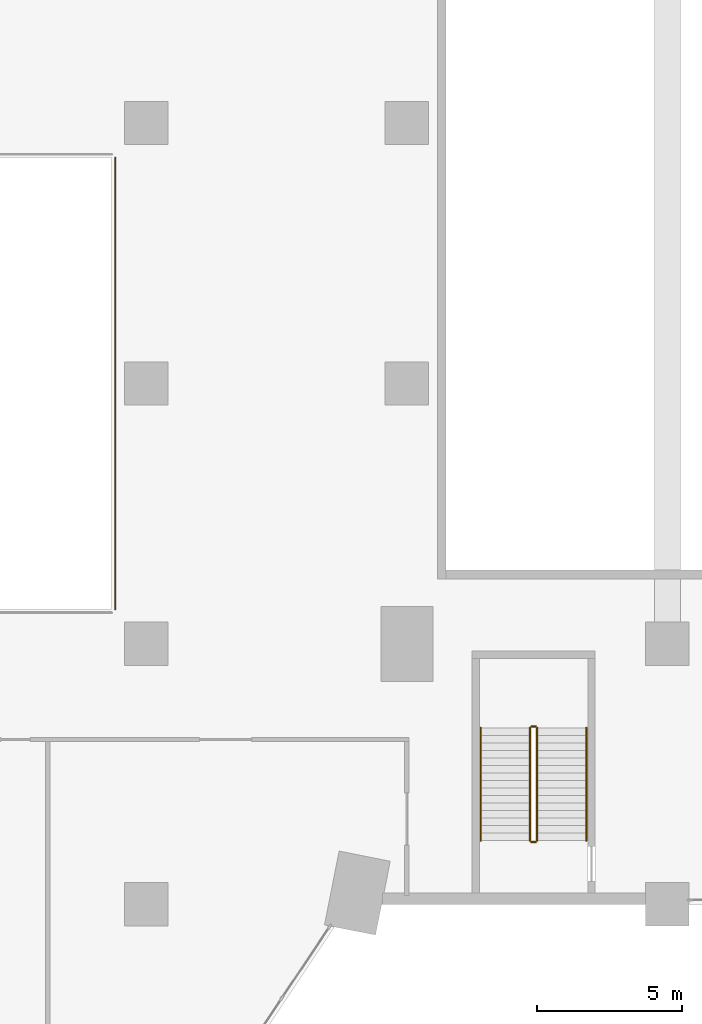
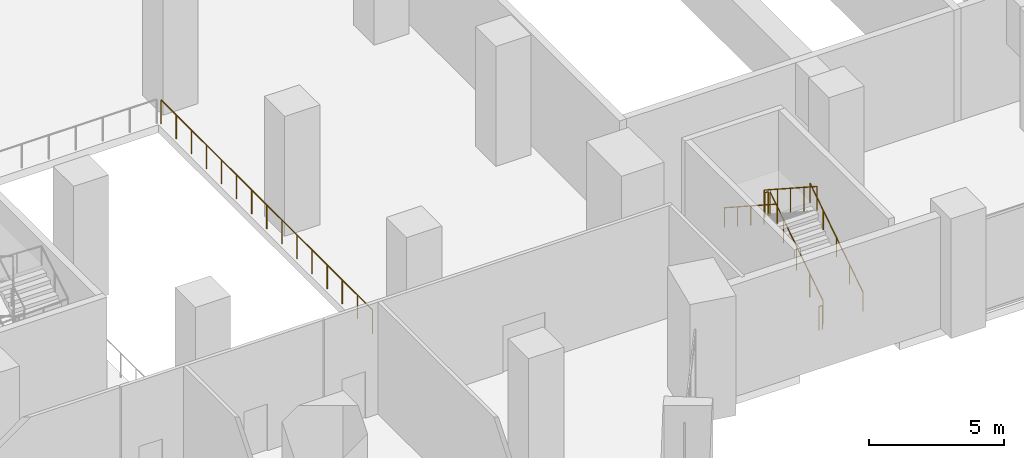
# One storey, part 31 of 43: 7 railings.
"""IFC4 building model written with IfcOpenShell, lengths in metres."""

from ifc_helpers import new_model, si_unit, direction, frame, origin, origin_2d, place, context, subcontext, project, spatial, circle, extrude, material, type_object, element, save


model = new_model("IFC4")

# Units and contexts
model_context = context("Model", 3, precision=1e-05, world=origin(), true_north=direction((0.0, 1.0)))
body_context = subcontext(model_context, "Body", "Model", "MODEL_VIEW")
ifc_project = project(units=[si_unit("LENGTHUNIT", "METRE"), si_unit("AREAUNIT", "SQUARE_METRE"), si_unit("VOLUMEUNIT", "CUBIC_METRE"), si_unit("PLANEANGLEUNIT", "RADIAN"), si_unit("MASSUNIT", "GRAM", prefix="KILO")], contexts=[model_context])

# Site, building, storey
site_placement = place(None, origin())
site = spatial("IfcSite", under=ifc_project, at=site_placement, CompositionType="ELEMENT")
building_placement = place(site_placement, origin())
building = spatial("IfcBuilding", under=site, at=building_placement, Name="Hunhe Ridgeline Campus", CompositionType="ELEMENT")
storey_placement = place(building_placement, frame((0.0, 0.0, 11.39990234375)))
storey = spatial("IfcBuildingStorey", under=building, at=storey_placement, Name="L02", CompositionType="ELEMENT", Elevation=11.39990234375)

# Railings
ifc_material_1 = material(Name="Glass and steel", Category="steel")
railing_type_1 = type_object("IfcRailingType", Name="Atrium glass guard 1100", PredefinedType="GUARDRAIL", material=ifc_material_1)
railing_1_placement = place(storey_placement, frame((34.919921875, 28.199951171875, 0.0)))
element("IfcRailing", 1, at=railing_1_placement, inside=storey, type_object=railing_type_1, Name="L02 atrium guard", PredefinedType="GUARDRAIL", context=body_context, shape_type="SweptSolid", body=[
    extrude(circle(Radius=0.02392578125, at=origin_2d()), frame((0.0, 0.0, 1.076171875), z_axis=(0.0, 1.0, 0.0), x_axis=(-1.0, 0.0, 0.0)), (0.0, 0.0, 1.0), 15.60009765625),
    extrude(circle(Radius=0.02099609375, at=origin_2d()), origin(), (0.0, 0.0, 1.0), 1.052001953125),
    extrude(circle(Radius=0.02099609375, at=origin_2d()), frame((0.0, 1.1142578125, 0.0)), (0.0, 0.0, 1.0), 1.052001953125),
    extrude(circle(Radius=0.02099609375, at=origin_2d()), frame((0.0, 2.228515625, 0.0)), (0.0, 0.0, 1.0), 1.052001953125),
    extrude(circle(Radius=0.02099609375, at=origin_2d()), frame((0.0, 3.3427734375, 0.0)), (0.0, 0.0, 1.0), 1.052001953125),
    extrude(circle(Radius=0.02099609375, at=origin_2d()), frame((0.0, 4.457275390625, 0.0)), (0.0, 0.0, 1.0), 1.052001953125),
    extrude(circle(Radius=0.02099609375, at=origin_2d()), frame((0.0, 5.571533203125, 0.0)), (0.0, 0.0, 1.0), 1.052001953125),
    extrude(circle(Radius=0.02099609375, at=origin_2d()), frame((0.0, 6.685791015625, 0.0)), (0.0, 0.0, 1.0), 1.052001953125),
    extrude(circle(Radius=0.02099609375, at=origin_2d()), frame((0.0, 7.800048828125, 0.0)), (0.0, 0.0, 1.0), 1.052001953125),
    extrude(circle(Radius=0.02099609375, at=origin_2d()), frame((0.0, 8.914306640625, 0.0)), (0.0, 0.0, 1.0), 1.052001953125),
    extrude(circle(Radius=0.02099609375, at=origin_2d()), frame((0.0, 10.028564453125, 0.0)), (0.0, 0.0, 1.0), 1.052001953125),
    extrude(circle(Radius=0.02099609375, at=origin_2d()), frame((0.0, 11.142822265625, 0.0)), (0.0, 0.0, 1.0), 1.052001953125),
    extrude(circle(Radius=0.02099609375, at=origin_2d()), frame((0.0, 12.25732421875, 0.0)), (0.0, 0.0, 1.0), 1.052001953125),
    extrude(circle(Radius=0.02099609375, at=origin_2d()), frame((0.0, 13.37158203125, 0.0)), (0.0, 0.0, 1.0), 1.052001953125),
    extrude(circle(Radius=0.02099609375, at=origin_2d()), frame((0.0, 14.48583984375, 0.0)), (0.0, 0.0, 1.0), 1.052001953125),
    extrude(circle(Radius=0.02099609375, at=origin_2d()), frame((0.0, 15.60009765625, 0.0)), (0.0, 0.0, 1.0), 1.052001953125),
])
ifc_material_2 = material(Name="Steel Q235", Category="steel")
railing_type_2 = type_object("IfcRailingType", Name="Podium stair guard 1100", PredefinedType="GUARDRAIL", material=ifc_material_2)
railing_2_placement = place(storey_placement, frame((49.5, 20.199951171875, 0.1689453125)))
element("IfcRailing", 2, at=railing_2_placement, inside=storey, type_object=railing_type_2, Name="L02 PS1 stair guard 1", PredefinedType="GUARDRAIL", context=body_context, shape_type="SweptSolid", body=[
    extrude(circle(Radius=0.02392578125, at=origin_2d()), frame((0.0, 0.0, 1.076171875), z_axis=(0.0, 0.838821308939, 0.544406843886), x_axis=(-1.0, 0.0, 0.0)), (0.0, 0.0, 1.0), 4.649658203125),
    extrude(circle(Radius=0.02099609375, at=origin_2d()), origin(), (0.0, 0.0, 1.0), 1.052001953125),
    extrude(circle(Radius=0.02099609375, at=origin_2d()), frame((0.0, 0.97509765625, 0.6328125)), (0.0, 0.0, 1.0), 1.052001953125),
    extrude(circle(Radius=0.02099609375, at=origin_2d()), frame((0.0, 1.9501953125, 1.265625)), (0.0, 0.0, 1.0), 1.052001953125),
    extrude(circle(Radius=0.02099609375, at=origin_2d()), frame((0.0, 2.925048828125, 1.8984375)), (0.0, 0.0, 1.0), 1.052001953125),
    extrude(circle(Radius=0.02099609375, at=origin_2d()), frame((0.0, 3.900146484375, 2.53125)), (0.0, 0.0, 1.0), 1.052001953125),
])
railing_3_placement = place(storey_placement, frame((49.449951171875, 24.14990234375, 2.7001953125)))
element("IfcRailing", 3, at=railing_3_placement, inside=storey, type_object=railing_type_2, Name="L02 PS1 stair guard 2", PredefinedType="GUARDRAIL", context=body_context, shape_type="SweptSolid", body=[
    extrude(circle(Radius=0.02392578125, at=origin_2d()), frame((0.0, 0.0, 1.076171875), z_axis=(-1.0, 0.0, 0.0), x_axis=(0.0, -1.0, 0.0)), (0.0, 0.0, 1.0), 0.14990234375),
    extrude(circle(Radius=0.02099609375, at=origin_2d()), origin(), (0.0, 0.0, 1.0), 1.052001953125),
    extrude(circle(Radius=0.02099609375, at=origin_2d()), frame((-0.14990234375, 0.0, 0.0)), (0.0, 0.0, 1.0), 1.052001953125),
])
railing_4_placement = place(storey_placement, frame((49.25, 24.10009765625, 2.868896484375)))
element("IfcRailing", 4, at=railing_4_placement, inside=storey, type_object=railing_type_2, Name="L02 PS1 stair guard 3", PredefinedType="GUARDRAIL", context=body_context, shape_type="SweptSolid", body=[
    extrude(circle(Radius=0.02392578125, at=origin_2d()), frame((0.0, 0.0, 1.076171875), z_axis=(0.0, -0.838821308939, 0.544406843886), x_axis=(1.0, 0.0, 0.0)), (0.0, 0.0, 1.0), 4.649658203125),
    extrude(circle(Radius=0.02099609375, at=origin_2d()), origin(), (0.0, 0.0, 1.0), 1.052001953125),
    extrude(circle(Radius=0.02099609375, at=origin_2d()), frame((0.0, -0.97509765625, 0.6328125)), (0.0, 0.0, 1.0), 1.052001953125),
    extrude(circle(Radius=0.02099609375, at=origin_2d()), frame((0.0, -1.9501953125, 1.265625)), (0.0, 0.0, 1.0), 1.052001953125),
    extrude(circle(Radius=0.02099609375, at=origin_2d()), frame((0.0, -2.925048828125, 1.8984375)), (0.0, 0.0, 1.0), 1.052001953125),
    extrude(circle(Radius=0.02099609375, at=origin_2d()), frame((0.0, -3.900146484375, 2.53125)), (0.0, 0.0, 1.0), 1.052001953125),
])
railing_5_placement = place(storey_placement, frame((49.449951171875, 20.14990234375, 0.0)))
element("IfcRailing", 5, at=railing_5_placement, inside=storey, type_object=railing_type_2, Name="L02 PS1 stair guard 4", PredefinedType="GUARDRAIL", context=body_context, shape_type="SweptSolid", body=[
    extrude(circle(Radius=0.02392578125, at=origin_2d()), frame((0.0, 0.0, 1.076171875), z_axis=(-1.0, 0.0, 0.0), x_axis=(0.0, -1.0, 0.0)), (0.0, 0.0, 1.0), 0.14990234375),
    extrude(circle(Radius=0.02099609375, at=origin_2d()), origin(), (0.0, 0.0, 1.0), 1.052001953125),
    extrude(circle(Radius=0.02099609375, at=origin_2d()), frame((-0.14990234375, 0.0, 0.0)), (0.0, 0.0, 1.0), 1.052001953125),
])
railing_type_3 = type_object("IfcRailingType", Name="Podium stair handrail", PredefinedType="HANDRAIL", material=ifc_material_2)
railing_6_placement = place(storey_placement, frame((51.199951171875, 20.199951171875, 0.1689453125)))
element("IfcRailing", 6, at=railing_6_placement, inside=storey, type_object=railing_type_3, Name="L02 PS1 stair handrail 1", PredefinedType="HANDRAIL", context=body_context, shape_type="SweptSolid", body=[
    extrude(circle(Radius=0.02392578125, at=origin_2d()), frame((0.0, 0.0, 0.8759765625), z_axis=(0.0, 0.838821308939, 0.544406843886), x_axis=(-1.0, 0.0, 0.0)), (0.0, 0.0, 1.0), 4.649658203125),
    extrude(circle(Radius=0.02099609375, at=origin_2d()), origin(), (0.0, 0.0, 1.0), 0.851806640625),
    extrude(circle(Radius=0.02099609375, at=origin_2d()), frame((0.0, 0.97509765625, 0.6328125)), (0.0, 0.0, 1.0), 0.851806640625),
    extrude(circle(Radius=0.02099609375, at=origin_2d()), frame((0.0, 1.9501953125, 1.265625)), (0.0, 0.0, 1.0), 0.851806640625),
    extrude(circle(Radius=0.02099609375, at=origin_2d()), frame((0.0, 2.925048828125, 1.8984375)), (0.0, 0.0, 1.0), 0.851806640625),
    extrude(circle(Radius=0.02099609375, at=origin_2d()), frame((0.0, 3.900146484375, 2.53125)), (0.0, 0.0, 1.0), 0.851806640625),
])
railing_7_placement = place(storey_placement, frame((47.550048828125, 24.10009765625, 2.868896484375)))
element("IfcRailing", 7, at=railing_7_placement, inside=storey, type_object=railing_type_3, Name="L02 PS1 stair handrail 2", PredefinedType="HANDRAIL", context=body_context, shape_type="SweptSolid", body=[
    extrude(circle(Radius=0.02392578125, at=origin_2d()), frame((0.0, 0.0, 0.8759765625), z_axis=(0.0, -0.838821308939, 0.544406843886), x_axis=(1.0, 0.0, 0.0)), (0.0, 0.0, 1.0), 4.649658203125),
    extrude(circle(Radius=0.02099609375, at=origin_2d()), origin(), (0.0, 0.0, 1.0), 0.851806640625),
    extrude(circle(Radius=0.02099609375, at=origin_2d()), frame((0.0, -0.97509765625, 0.6328125)), (0.0, 0.0, 1.0), 0.851806640625),
    extrude(circle(Radius=0.02099609375, at=origin_2d()), frame((0.0, -1.9501953125, 1.265625)), (0.0, 0.0, 1.0), 0.851806640625),
    extrude(circle(Radius=0.02099609375, at=origin_2d()), frame((0.0, -2.925048828125, 1.8984375)), (0.0, 0.0, 1.0), 0.851806640625),
    extrude(circle(Radius=0.02099609375, at=origin_2d()), frame((0.0, -3.900146484375, 2.53125)), (0.0, 0.0, 1.0), 0.851806640625),
])

save(model, "model.ifc")
